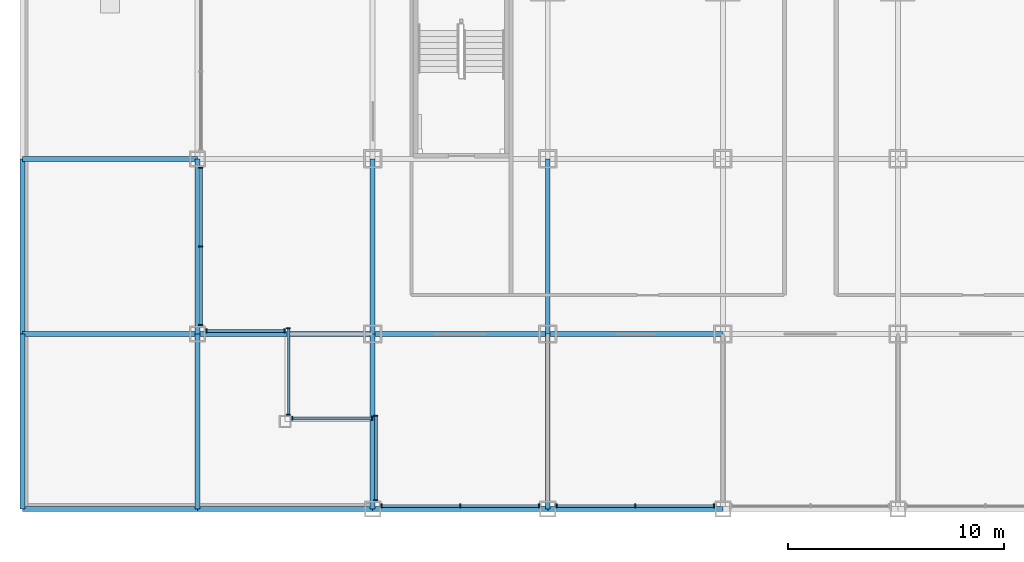
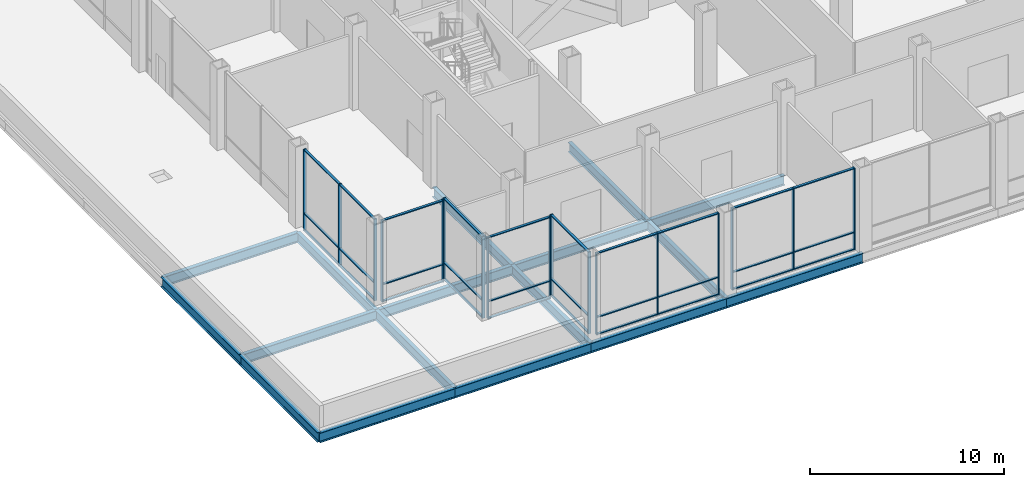
# One storey, part 7 of 26: 47 members, 17 beams, 7 elements without a shape of their own.
"""IFC4 building model written with IfcOpenShell, lengths in metres."""

from ifc_helpers import new_model, si_unit, direction, frame, origin, origin_2d, place, context, subcontext, project, spatial, rectangle, i_section, extrude, material, material_profile, profile_set, type_object, element, aggregate, save


model = new_model("IFC4")

# Units and contexts
model_context = context("Model", 3, precision=1e-05, world=origin(), true_north=direction((0.0, 1.0)))
body_context = subcontext(model_context, "Body", "Model", "MODEL_VIEW")
ifc_project = project(units=[si_unit("LENGTHUNIT", "METRE"), si_unit("AREAUNIT", "SQUARE_METRE"), si_unit("VOLUMEUNIT", "CUBIC_METRE"), si_unit("PLANEANGLEUNIT", "RADIAN"), si_unit("MASSUNIT", "GRAM", prefix="KILO")], contexts=[model_context])

# Site, building, storey
site_placement = place(None, origin())
site = spatial("IfcSite", under=ifc_project, at=site_placement, CompositionType="ELEMENT")
building_placement = place(site_placement, origin())
building = spatial("IfcBuilding", under=site, at=building_placement, Name="Kopane Lantern Tower", CompositionType="ELEMENT")
storey_placement = place(building_placement, frame((0.0, 0.0, 16.800048828125)))
storey = spatial("IfcBuildingStorey", under=building, at=storey_placement, Name="L03", CompositionType="ELEMENT", Elevation=16.800048828125)

# Beams
ifc_material_1 = material(Name="Steel S355JR", Category="steel")
ifc_material_profile_1 = material_profile(ifc_material_1, i_section(OverallWidth=0.22900390625, OverallDepth=0.6123046875, WebThickness=0.011962890625, FlangeThickness=0.01953125, FilletRadius=0.0126953125, at=origin_2d()), Name="UB 610x229x125")
ifc_profile_set_1 = profile_set([ifc_material_profile_1], Name="Steel S355JR")
beam_type = type_object("IfcBeamType", Name="GIRDER UB 610x229x125", PredefinedType="BEAM", material=ifc_profile_set_1)
for number, where, z_axis, x_axis, name in (
    (1, (-8.10009765625, 0.0, -0.55615234375), (0.0, 1.0, 0.0), (-1.0, 0.0, 0.0), "Girder L03"),
    (2, (-8.10009765625, 0.0, -0.55615234375), (1.0, 0.0, 0.0), (0.0, 1.0, 0.0), "Girder L03"),
):
    element("IfcBeam", number, at=place(storey_placement, frame(where, z_axis=z_axis, x_axis=x_axis)), inside=storey, type_object=beam_type, Name=name, PredefinedType="BEAM", context=body_context, shape_type="SweptSolid", body=[
        extrude(i_section(OverallWidth=0.22900390625, OverallDepth=0.6123046875, WebThickness=0.011962890625, FlangeThickness=0.01953125, FilletRadius=0.0126953125, at=origin_2d()), origin(), (0.0, 0.0, 1.0), 8.10009765625),
    ])
beam_1_placement = place(storey_placement, frame((-8.10009765625, 8.10009765625, -0.55615234375), z_axis=(0.0, 1.0, 0.0), x_axis=(-1.0, 0.0, 0.0)))
element("IfcBeam", 3, at=beam_1_placement, inside=storey, type_object=beam_type, Name="Girder L03", PredefinedType="BEAM", context=body_context, shape_type="SweptSolid", body=[
    extrude(i_section(OverallWidth=0.22900390625, OverallDepth=0.6123046875, WebThickness=0.011962890625, FlangeThickness=0.01953125, FilletRadius=0.0126953125, at=origin_2d()), origin(), (0.0, 0.0, 1.0), 8.099853515625),
])
for number, where, z_axis, x_axis, name in (
    (4, (-8.10009765625, 8.10009765625, -0.55615234375), (1.0, 0.0, 0.0), (0.0, 1.0, 0.0), "Girder L03"),
    (5, (-8.10009765625, 16.199951171875, -0.55615234375), (1.0, 0.0, 0.0), (0.0, 1.0, 0.0), "Girder L03"),
    (6, (0.0, 0.0, -0.55615234375), (0.0, 1.0, 0.0), (-1.0, 0.0, 0.0), "Girder L03"),
    (7, (0.0, 0.0, -0.55615234375), (1.0, 0.0, 0.0), (0.0, 1.0, 0.0), "Girder L03"),
):
    element("IfcBeam", number, at=place(storey_placement, frame(where, z_axis=z_axis, x_axis=x_axis)), inside=storey, type_object=beam_type, Name=name, PredefinedType="BEAM", context=body_context, shape_type="SweptSolid", body=[
        extrude(i_section(OverallWidth=0.22900390625, OverallDepth=0.6123046875, WebThickness=0.011962890625, FlangeThickness=0.01953125, FilletRadius=0.0126953125, at=origin_2d()), origin(), (0.0, 0.0, 1.0), 8.10009765625),
    ])
beam_2_placement = place(storey_placement, frame((0.0, 8.10009765625, -0.55615234375), z_axis=(0.0, 1.0, 0.0), x_axis=(-1.0, 0.0, 0.0)))
element("IfcBeam", 8, at=beam_2_placement, inside=storey, type_object=beam_type, Name="Girder L03", PredefinedType="BEAM", context=body_context, shape_type="SweptSolid", body=[
    extrude(i_section(OverallWidth=0.22900390625, OverallDepth=0.6123046875, WebThickness=0.011962890625, FlangeThickness=0.01953125, FilletRadius=0.0126953125, at=origin_2d()), origin(), (0.0, 0.0, 1.0), 8.099853515625),
])
for number, where, z_axis, x_axis, name in (
    (9, (0.0, 8.10009765625, -0.55615234375), (1.0, 0.0, 0.0), (0.0, 1.0, 0.0), "Girder L03"),
    (10, (8.10009765625, 0.0, -0.55615234375), (0.0, 1.0, 0.0), (-1.0, 0.0, 0.0), "Girder L03"),
):
    element("IfcBeam", number, at=place(storey_placement, frame(where, z_axis=z_axis, x_axis=x_axis)), inside=storey, type_object=beam_type, Name=name, PredefinedType="BEAM", context=body_context, shape_type="SweptSolid", body=[
        extrude(i_section(OverallWidth=0.22900390625, OverallDepth=0.6123046875, WebThickness=0.011962890625, FlangeThickness=0.01953125, FilletRadius=0.0126953125, at=origin_2d()), origin(), (0.0, 0.0, 1.0), 8.10009765625),
    ])
for number, where, z_axis, x_axis, name in (
    (11, (8.10009765625, 0.0, -0.55615234375), (1.0, 0.0, 0.0), (0.0, 1.0, 0.0), "Girder L03"),
    (12, (8.10009765625, 8.10009765625, -0.55615234375), (0.0, 1.0, 0.0), (-1.0, 0.0, 0.0), "Girder L03"),
    (13, (8.10009765625, 8.10009765625, -0.55615234375), (1.0, 0.0, 0.0), (0.0, 1.0, 0.0), "Girder L03"),
):
    element("IfcBeam", number, at=place(storey_placement, frame(where, z_axis=z_axis, x_axis=x_axis)), inside=storey, type_object=beam_type, Name=name, PredefinedType="BEAM", context=body_context, shape_type="SweptSolid", body=[
        extrude(i_section(OverallWidth=0.22900390625, OverallDepth=0.6123046875, WebThickness=0.011962890625, FlangeThickness=0.01953125, FilletRadius=0.0126953125, at=origin_2d()), origin(), (0.0, 0.0, 1.0), 8.099853515625),
    ])
for number, where, z_axis, x_axis, name in (
    (14, (16.199951171875, 0.0, -0.55615234375), (0.0, 1.0, 0.0), (-1.0, 0.0, 0.0), "Girder L03"),
    (15, (16.199951171875, 0.0, -0.55615234375), (1.0, 0.0, 0.0), (0.0, 1.0, 0.0), "Girder L03"),
):
    element("IfcBeam", number, at=place(storey_placement, frame(where, z_axis=z_axis, x_axis=x_axis)), inside=storey, type_object=beam_type, Name=name, PredefinedType="BEAM", context=body_context, shape_type="SweptSolid", body=[
        extrude(i_section(OverallWidth=0.22900390625, OverallDepth=0.6123046875, WebThickness=0.011962890625, FlangeThickness=0.01953125, FilletRadius=0.0126953125, at=origin_2d()), origin(), (0.0, 0.0, 1.0), 8.10009765625),
    ])
beam_3_placement = place(storey_placement, frame((16.199951171875, 8.10009765625, -0.55615234375), z_axis=(0.0, 1.0, 0.0), x_axis=(-1.0, 0.0, 0.0)))
element("IfcBeam", 16, at=beam_3_placement, inside=storey, type_object=beam_type, Name="Girder L03", PredefinedType="BEAM", context=body_context, shape_type="SweptSolid", body=[
    extrude(i_section(OverallWidth=0.22900390625, OverallDepth=0.6123046875, WebThickness=0.011962890625, FlangeThickness=0.01953125, FilletRadius=0.0126953125, at=origin_2d()), origin(), (0.0, 0.0, 1.0), 8.099853515625),
])
beam_4_placement = place(storey_placement, frame((16.199951171875, 8.10009765625, -0.55615234375), z_axis=(1.0, 0.0, 0.0), x_axis=(0.0, 1.0, 0.0)))
element("IfcBeam", 17, at=beam_4_placement, inside=storey, type_object=beam_type, Name="Girder L03", PredefinedType="BEAM", context=body_context, shape_type="SweptSolid", body=[
    extrude(i_section(OverallWidth=0.22900390625, OverallDepth=0.6123046875, WebThickness=0.011962890625, FlangeThickness=0.01953125, FilletRadius=0.0126953125, at=origin_2d()), origin(), (0.0, 0.0, 1.0), 8.10009765625),
])

# Curtain wall, members
ifc_material_2 = material(Name="Aluminium and clear glass", Category="aluminium")
curtain_wall_type = type_object("IfcCurtainWallType", Name="CURTAIN WALL CW2 PODIUM UPPER", PredefinedType="USERDEFINED", material=ifc_material_2)
curtain_wall_1_placement = place(storey_placement, origin())
curtain_wall_1 = element("IfcCurtainWall", 18, at=curtain_wall_1_placement, inside=storey, type_object=curtain_wall_type, Name="Curtain wall CW2 S L03", ObjectType="CURTAIN WALL", PredefinedType="USERDEFINED")
ifc_material_3 = material(Name="Aluminium", Category="aluminium")
ifc_material_profile_2 = material_profile(ifc_material_3, rectangle(XDim=0.06005859375, YDim=0.179931640625, at=origin_2d()), Name="AL 60x180")
ifc_profile_set_2 = profile_set([ifc_material_profile_2], Name="Aluminium")
member_type_1 = type_object("IfcMemberType", Name="MULLION CW2-M 60x180", PredefinedType="MULLION", material=ifc_profile_set_2)
member_1_placement = place(storey_placement, frame((8.510009765625, 0.14990234375, 0.0), z_axis=(0.0, 0.0, 1.0), x_axis=(1.0, 0.0, 0.0)))
member_1 = element("IfcMember", 19, at=member_1_placement, type_object=member_type_1, Name="CW2 mullion 1", PredefinedType="MULLION", context=body_context, shape_type="SweptSolid", body=[
    extrude(rectangle(XDim=0.06005859375, YDim=0.179931640625, at=origin_2d()), origin(), (0.0, 0.0, 1.0), 5.14990234375),
])
member_2_placement = place(storey_placement, frame((12.14990234375, 0.14990234375, 0.0), z_axis=(0.0, 0.0, 1.0), x_axis=(1.0, 0.0, 0.0)))
member_2 = element("IfcMember", 20, at=member_2_placement, type_object=member_type_1, Name="CW2 mullion 2", PredefinedType="MULLION", context=body_context, shape_type="SweptSolid", body=[
    extrude(rectangle(XDim=0.06005859375, YDim=0.179931640625, at=origin_2d()), origin(), (0.0, 0.0, 1.0), 5.14990234375),
])
member_3_placement = place(storey_placement, frame((15.7900390625, 0.14990234375, 0.0), z_axis=(0.0, 0.0, 1.0), x_axis=(1.0, 0.0, 0.0)))
member_3 = element("IfcMember", 21, at=member_3_placement, type_object=member_type_1, Name="CW2 mullion 3", PredefinedType="MULLION", context=body_context, shape_type="SweptSolid", body=[
    extrude(rectangle(XDim=0.06005859375, YDim=0.179931640625, at=origin_2d()), origin(), (0.0, 0.0, 1.0), 5.14990234375),
])

curtain_wall_2_placement = place(storey_placement, origin())
curtain_wall_2 = element("IfcCurtainWall", 22, at=curtain_wall_2_placement, inside=storey, type_object=curtain_wall_type, Name="Curtain wall CW2 S L03", ObjectType="CURTAIN WALL", PredefinedType="USERDEFINED")
member_4_placement = place(storey_placement, frame((16.610107421875, 0.14990234375, 0.0), z_axis=(0.0, 0.0, 1.0), x_axis=(1.0, 0.0, 0.0)))
member_4 = element("IfcMember", 23, at=member_4_placement, type_object=member_type_1, Name="CW2 mullion 1", PredefinedType="MULLION", context=body_context, shape_type="SweptSolid", body=[
    extrude(rectangle(XDim=0.06005859375, YDim=0.179931640625, at=origin_2d()), origin(), (0.0, 0.0, 1.0), 5.14990234375),
])
member_5_placement = place(storey_placement, frame((20.25, 0.14990234375, 0.0), z_axis=(0.0, 0.0, 1.0), x_axis=(1.0, 0.0, 0.0)))
member_5 = element("IfcMember", 24, at=member_5_placement, type_object=member_type_1, Name="CW2 mullion 2", PredefinedType="MULLION", context=body_context, shape_type="SweptSolid", body=[
    extrude(rectangle(XDim=0.06005859375, YDim=0.179931640625, at=origin_2d()), origin(), (0.0, 0.0, 1.0), 5.14990234375),
])
member_6_placement = place(storey_placement, frame((23.889892578125, 0.14990234375, 0.0), z_axis=(0.0, 0.0, 1.0), x_axis=(1.0, 0.0, 0.0)))
member_6 = element("IfcMember", 25, at=member_6_placement, type_object=member_type_1, Name="CW2 mullion 3", PredefinedType="MULLION", context=body_context, shape_type="SweptSolid", body=[
    extrude(rectangle(XDim=0.06005859375, YDim=0.179931640625, at=origin_2d()), origin(), (0.0, 0.0, 1.0), 5.14990234375),
])

curtain_wall_3_placement = place(storey_placement, origin())
curtain_wall_3 = element("IfcCurtainWall", 26, at=curtain_wall_3_placement, inside=storey, type_object=curtain_wall_type, Name="Curtain wall CW2 W L03", ObjectType="CURTAIN WALL", PredefinedType="USERDEFINED")
member_7_placement = place(storey_placement, frame((0.14990234375, 15.7900390625, 0.0), z_axis=(0.0, 0.0, 1.0), x_axis=(0.0, -1.0, 0.0)))
member_7 = element("IfcMember", 27, at=member_7_placement, type_object=member_type_1, Name="CW2 mullion 1", PredefinedType="MULLION", context=body_context, shape_type="SweptSolid", body=[
    extrude(rectangle(XDim=0.06005859375, YDim=0.179931640625, at=origin_2d()), origin(), (0.0, 0.0, 1.0), 5.14990234375),
])
member_8_placement = place(storey_placement, frame((0.14990234375, 12.14990234375, 0.0), z_axis=(0.0, 0.0, 1.0), x_axis=(0.0, -1.0, 0.0)))
member_8 = element("IfcMember", 28, at=member_8_placement, type_object=member_type_1, Name="CW2 mullion 2", PredefinedType="MULLION", context=body_context, shape_type="SweptSolid", body=[
    extrude(rectangle(XDim=0.06005859375, YDim=0.179931640625, at=origin_2d()), origin(), (0.0, 0.0, 1.0), 5.14990234375),
])
member_9_placement = place(storey_placement, frame((0.14990234375, 8.510009765625, 0.0), z_axis=(0.0, 0.0, 1.0), x_axis=(0.0, -1.0, 0.0)))
member_9 = element("IfcMember", 29, at=member_9_placement, type_object=member_type_1, Name="CW2 mullion 3", PredefinedType="MULLION", context=body_context, shape_type="SweptSolid", body=[
    extrude(rectangle(XDim=0.06005859375, YDim=0.179931640625, at=origin_2d()), origin(), (0.0, 0.0, 1.0), 5.14990234375),
])

curtain_wall_4_placement = place(storey_placement, origin())
curtain_wall_4 = element("IfcCurtainWall", 30, at=curtain_wall_4_placement, inside=storey, type_object=curtain_wall_type, Name="Curtain wall CW2 S L03", ObjectType="CURTAIN WALL", PredefinedType="USERDEFINED")
member_10_placement = place(storey_placement, frame((0.409912109375, 8.25, 0.0), z_axis=(0.0, 0.0, 1.0), x_axis=(1.0, 0.0, 0.0)))
member_10 = element("IfcMember", 31, at=member_10_placement, type_object=member_type_1, Name="CW2 mullion 1", PredefinedType="MULLION", context=body_context, shape_type="SweptSolid", body=[
    extrude(rectangle(XDim=0.06005859375, YDim=0.179931640625, at=origin_2d()), origin(), (0.0, 0.0, 1.0), 5.14990234375),
])
member_11_placement = place(storey_placement, frame((4.02001953125, 8.25, 0.0), z_axis=(0.0, 0.0, 1.0), x_axis=(1.0, 0.0, 0.0)))
member_11 = element("IfcMember", 32, at=member_11_placement, type_object=member_type_1, Name="CW2 mullion 2", PredefinedType="MULLION", context=body_context, shape_type="SweptSolid", body=[
    extrude(rectangle(XDim=0.06005859375, YDim=0.179931640625, at=origin_2d()), origin(), (0.0, 0.0, 1.0), 5.14990234375),
])

curtain_wall_5_placement = place(storey_placement, origin())
curtain_wall_5 = element("IfcCurtainWall", 33, at=curtain_wall_5_placement, inside=storey, type_object=curtain_wall_type, Name="Curtain wall CW2 W L03", ObjectType="CURTAIN WALL", PredefinedType="USERDEFINED")
member_12_placement = place(storey_placement, frame((4.199951171875, 8.3701171875, 0.0), z_axis=(0.0, 0.0, 1.0), x_axis=(0.0, -1.0, 0.0)))
member_12 = element("IfcMember", 34, at=member_12_placement, type_object=member_type_1, Name="CW2 mullion 1", PredefinedType="MULLION", context=body_context, shape_type="SweptSolid", body=[
    extrude(rectangle(XDim=0.06005859375, YDim=0.179931640625, at=origin_2d()), origin(), (0.0, 0.0, 1.0), 5.14990234375),
])
member_13_placement = place(storey_placement, frame((4.199951171875, 4.360107421875, 0.0), z_axis=(0.0, 0.0, 1.0), x_axis=(0.0, -1.0, 0.0)))
member_13 = element("IfcMember", 35, at=member_13_placement, type_object=member_type_1, Name="CW2 mullion 2", PredefinedType="MULLION", context=body_context, shape_type="SweptSolid", body=[
    extrude(rectangle(XDim=0.06005859375, YDim=0.179931640625, at=origin_2d()), origin(), (0.0, 0.0, 1.0), 5.14990234375),
])

curtain_wall_6_placement = place(storey_placement, origin())
curtain_wall_6 = element("IfcCurtainWall", 36, at=curtain_wall_6_placement, inside=storey, type_object=curtain_wall_type, Name="Curtain wall CW2 S L03", ObjectType="CURTAIN WALL", PredefinedType="USERDEFINED")
member_14_placement = place(storey_placement, frame((4.3798828125, 4.199951171875, 0.0), z_axis=(0.0, 0.0, 1.0), x_axis=(1.0, 0.0, 0.0)))
member_14 = element("IfcMember", 37, at=member_14_placement, type_object=member_type_1, Name="CW2 mullion 1", PredefinedType="MULLION", context=body_context, shape_type="SweptSolid", body=[
    extrude(rectangle(XDim=0.06005859375, YDim=0.179931640625, at=origin_2d()), origin(), (0.0, 0.0, 1.0), 5.14990234375),
])
member_15_placement = place(storey_placement, frame((8.070068359375, 4.199951171875, 0.0), z_axis=(0.0, 0.0, 1.0), x_axis=(1.0, 0.0, 0.0)))
member_15 = element("IfcMember", 38, at=member_15_placement, type_object=member_type_1, Name="CW2 mullion 2", PredefinedType="MULLION", context=body_context, shape_type="SweptSolid", body=[
    extrude(rectangle(XDim=0.06005859375, YDim=0.179931640625, at=origin_2d()), origin(), (0.0, 0.0, 1.0), 5.14990234375),
])

curtain_wall_7_placement = place(storey_placement, origin())
curtain_wall_7 = element("IfcCurtainWall", 39, at=curtain_wall_7_placement, inside=storey, type_object=curtain_wall_type, Name="Curtain wall CW2 W L03", ObjectType="CURTAIN WALL", PredefinedType="USERDEFINED")
member_16_placement = place(storey_placement, frame((8.25, 4.320068359375, 0.0), z_axis=(0.0, 0.0, 1.0), x_axis=(0.0, -1.0, 0.0)))
member_16 = element("IfcMember", 40, at=member_16_placement, type_object=member_type_1, Name="CW2 mullion 1", PredefinedType="MULLION", context=body_context, shape_type="SweptSolid", body=[
    extrude(rectangle(XDim=0.06005859375, YDim=0.179931640625, at=origin_2d()), origin(), (0.0, 0.0, 1.0), 5.14990234375),
])
member_17_placement = place(storey_placement, frame((8.25, 0.409912109375, 0.0), z_axis=(0.0, 0.0, 1.0), x_axis=(0.0, -1.0, 0.0)))
member_17 = element("IfcMember", 41, at=member_17_placement, type_object=member_type_1, Name="CW2 mullion 2", PredefinedType="MULLION", context=body_context, shape_type="SweptSolid", body=[
    extrude(rectangle(XDim=0.06005859375, YDim=0.179931640625, at=origin_2d()), origin(), (0.0, 0.0, 1.0), 5.14990234375),
])

# Member
ifc_material_4 = material(Name="Aluminium", Category="aluminium")
ifc_material_profile_3 = material_profile(ifc_material_4, rectangle(XDim=0.139892578125, YDim=0.06005859375, at=origin_2d()), Name="AL 140x60")
ifc_profile_set_3 = profile_set([ifc_material_profile_3], Name="Aluminium")
member_type_2 = type_object("IfcMemberType", Name="TRANSOM CW2-T 60x140", PredefinedType="USERDEFINED", material=ifc_profile_set_3)
member_18_placement = place(storey_placement, frame((8.5400390625, 0.14990234375, 0.030029296875), z_axis=(1.0, 0.0, 0.0), x_axis=(0.0, 1.0, 0.0)))
member_18 = element("IfcMember", 42, at=member_18_placement, type_object=member_type_2, Name="CW2 transom 1.1", ObjectType="TRANSOM", PredefinedType="USERDEFINED", context=body_context, shape_type="SweptSolid", body=[
    extrude(rectangle(XDim=0.139892578125, YDim=0.06005859375, at=origin_2d()), origin(), (0.0, 0.0, 1.0), 3.580078125),
])

member_19_placement = place(storey_placement, frame((8.5400390625, 0.14990234375, 1.099853515625), z_axis=(1.0, 0.0, 0.0), x_axis=(0.0, 1.0, 0.0)))
member_19 = element("IfcMember", 43, at=member_19_placement, type_object=member_type_2, Name="CW2 transom 1.2", ObjectType="TRANSOM", PredefinedType="USERDEFINED", context=body_context, shape_type="SweptSolid", body=[
    extrude(rectangle(XDim=0.139892578125, YDim=0.06005859375, at=origin_2d()), origin(), (0.0, 0.0, 1.0), 3.580078125),
])

member_20_placement = place(storey_placement, frame((8.5400390625, 0.14990234375, 5.119873046875), z_axis=(1.0, 0.0, 0.0), x_axis=(0.0, 1.0, 0.0)))
member_20 = element("IfcMember", 44, at=member_20_placement, type_object=member_type_2, Name="CW2 transom 1.3", ObjectType="TRANSOM", PredefinedType="USERDEFINED", context=body_context, shape_type="SweptSolid", body=[
    extrude(rectangle(XDim=0.139892578125, YDim=0.06005859375, at=origin_2d()), origin(), (0.0, 0.0, 1.0), 3.580078125),
])

member_21_placement = place(storey_placement, frame((12.179931640625, 0.14990234375, 0.030029296875), z_axis=(1.0, 0.0, 0.0), x_axis=(0.0, 1.0, 0.0)))
member_21 = element("IfcMember", 45, at=member_21_placement, type_object=member_type_2, Name="CW2 transom 2.1", ObjectType="TRANSOM", PredefinedType="USERDEFINED", context=body_context, shape_type="SweptSolid", body=[
    extrude(rectangle(XDim=0.139892578125, YDim=0.06005859375, at=origin_2d()), origin(), (0.0, 0.0, 1.0), 3.580078125),
])

member_22_placement = place(storey_placement, frame((12.179931640625, 0.14990234375, 1.099853515625), z_axis=(1.0, 0.0, 0.0), x_axis=(0.0, 1.0, 0.0)))
member_22 = element("IfcMember", 46, at=member_22_placement, type_object=member_type_2, Name="CW2 transom 2.2", ObjectType="TRANSOM", PredefinedType="USERDEFINED", context=body_context, shape_type="SweptSolid", body=[
    extrude(rectangle(XDim=0.139892578125, YDim=0.06005859375, at=origin_2d()), origin(), (0.0, 0.0, 1.0), 3.580078125),
])

member_23_placement = place(storey_placement, frame((12.179931640625, 0.14990234375, 5.119873046875), z_axis=(1.0, 0.0, 0.0), x_axis=(0.0, 1.0, 0.0)))
member_23 = element("IfcMember", 47, at=member_23_placement, type_object=member_type_2, Name="CW2 transom 2.3", ObjectType="TRANSOM", PredefinedType="USERDEFINED", context=body_context, shape_type="SweptSolid", body=[
    extrude(rectangle(XDim=0.139892578125, YDim=0.06005859375, at=origin_2d()), origin(), (0.0, 0.0, 1.0), 3.580078125),
])

aggregate(curtain_wall_1, [member_1, member_2, member_3, member_18, member_19, member_20, member_21, member_22, member_23])

member_24_placement = place(storey_placement, frame((16.639892578125, 0.14990234375, 0.030029296875), z_axis=(1.0, 0.0, 0.0), x_axis=(0.0, 1.0, 0.0)))
member_24 = element("IfcMember", 48, at=member_24_placement, type_object=member_type_2, Name="CW2 transom 1.1", ObjectType="TRANSOM", PredefinedType="USERDEFINED", context=body_context, shape_type="SweptSolid", body=[
    extrude(rectangle(XDim=0.139892578125, YDim=0.06005859375, at=origin_2d()), origin(), (0.0, 0.0, 1.0), 3.580078125),
])

member_25_placement = place(storey_placement, frame((16.639892578125, 0.14990234375, 1.099853515625), z_axis=(1.0, 0.0, 0.0), x_axis=(0.0, 1.0, 0.0)))
member_25 = element("IfcMember", 49, at=member_25_placement, type_object=member_type_2, Name="CW2 transom 1.2", ObjectType="TRANSOM", PredefinedType="USERDEFINED", context=body_context, shape_type="SweptSolid", body=[
    extrude(rectangle(XDim=0.139892578125, YDim=0.06005859375, at=origin_2d()), origin(), (0.0, 0.0, 1.0), 3.580078125),
])

member_26_placement = place(storey_placement, frame((16.639892578125, 0.14990234375, 5.119873046875), z_axis=(1.0, 0.0, 0.0), x_axis=(0.0, 1.0, 0.0)))
member_26 = element("IfcMember", 50, at=member_26_placement, type_object=member_type_2, Name="CW2 transom 1.3", ObjectType="TRANSOM", PredefinedType="USERDEFINED", context=body_context, shape_type="SweptSolid", body=[
    extrude(rectangle(XDim=0.139892578125, YDim=0.06005859375, at=origin_2d()), origin(), (0.0, 0.0, 1.0), 3.580078125),
])

member_27_placement = place(storey_placement, frame((20.280029296875, 0.14990234375, 0.030029296875), z_axis=(1.0, 0.0, 0.0), x_axis=(0.0, 1.0, 0.0)))
member_27 = element("IfcMember", 51, at=member_27_placement, type_object=member_type_2, Name="CW2 transom 2.1", ObjectType="TRANSOM", PredefinedType="USERDEFINED", context=body_context, shape_type="SweptSolid", body=[
    extrude(rectangle(XDim=0.139892578125, YDim=0.06005859375, at=origin_2d()), origin(), (0.0, 0.0, 1.0), 3.580078125),
])

member_28_placement = place(storey_placement, frame((20.280029296875, 0.14990234375, 1.099853515625), z_axis=(1.0, 0.0, 0.0), x_axis=(0.0, 1.0, 0.0)))
member_28 = element("IfcMember", 52, at=member_28_placement, type_object=member_type_2, Name="CW2 transom 2.2", ObjectType="TRANSOM", PredefinedType="USERDEFINED", context=body_context, shape_type="SweptSolid", body=[
    extrude(rectangle(XDim=0.139892578125, YDim=0.06005859375, at=origin_2d()), origin(), (0.0, 0.0, 1.0), 3.580078125),
])

member_29_placement = place(storey_placement, frame((20.280029296875, 0.14990234375, 5.119873046875), z_axis=(1.0, 0.0, 0.0), x_axis=(0.0, 1.0, 0.0)))
member_29 = element("IfcMember", 53, at=member_29_placement, type_object=member_type_2, Name="CW2 transom 2.3", ObjectType="TRANSOM", PredefinedType="USERDEFINED", context=body_context, shape_type="SweptSolid", body=[
    extrude(rectangle(XDim=0.139892578125, YDim=0.06005859375, at=origin_2d()), origin(), (0.0, 0.0, 1.0), 3.580078125),
])

aggregate(curtain_wall_2, [member_4, member_5, member_6, member_24, member_25, member_26, member_27, member_28, member_29])

member_30_placement = place(storey_placement, frame((0.14990234375, 15.760009765625, 0.030029296875), z_axis=(0.0, -1.0, 0.0), x_axis=(1.0, 0.0, 0.0)))
member_30 = element("IfcMember", 54, at=member_30_placement, type_object=member_type_2, Name="CW2 transom 1.1", ObjectType="TRANSOM", PredefinedType="USERDEFINED", context=body_context, shape_type="SweptSolid", body=[
    extrude(rectangle(XDim=0.139892578125, YDim=0.06005859375, at=origin_2d()), origin(), (0.0, 0.0, 1.0), 3.580078125),
])

member_31_placement = place(storey_placement, frame((0.14990234375, 15.760009765625, 1.099853515625), z_axis=(0.0, -1.0, 0.0), x_axis=(1.0, 0.0, 0.0)))
member_31 = element("IfcMember", 55, at=member_31_placement, type_object=member_type_2, Name="CW2 transom 1.2", ObjectType="TRANSOM", PredefinedType="USERDEFINED", context=body_context, shape_type="SweptSolid", body=[
    extrude(rectangle(XDim=0.139892578125, YDim=0.06005859375, at=origin_2d()), origin(), (0.0, 0.0, 1.0), 3.580078125),
])

member_32_placement = place(storey_placement, frame((0.14990234375, 15.760009765625, 5.119873046875), z_axis=(0.0, -1.0, 0.0), x_axis=(1.0, 0.0, 0.0)))
member_32 = element("IfcMember", 56, at=member_32_placement, type_object=member_type_2, Name="CW2 transom 1.3", ObjectType="TRANSOM", PredefinedType="USERDEFINED", context=body_context, shape_type="SweptSolid", body=[
    extrude(rectangle(XDim=0.139892578125, YDim=0.06005859375, at=origin_2d()), origin(), (0.0, 0.0, 1.0), 3.580078125),
])

member_33_placement = place(storey_placement, frame((0.14990234375, 12.1201171875, 0.030029296875), z_axis=(0.0, -1.0, 0.0), x_axis=(1.0, 0.0, 0.0)))
member_33 = element("IfcMember", 57, at=member_33_placement, type_object=member_type_2, Name="CW2 transom 2.1", ObjectType="TRANSOM", PredefinedType="USERDEFINED", context=body_context, shape_type="SweptSolid", body=[
    extrude(rectangle(XDim=0.139892578125, YDim=0.06005859375, at=origin_2d()), origin(), (0.0, 0.0, 1.0), 3.580078125),
])

member_34_placement = place(storey_placement, frame((0.14990234375, 12.1201171875, 1.099853515625), z_axis=(0.0, -1.0, 0.0), x_axis=(1.0, 0.0, 0.0)))
member_34 = element("IfcMember", 58, at=member_34_placement, type_object=member_type_2, Name="CW2 transom 2.2", ObjectType="TRANSOM", PredefinedType="USERDEFINED", context=body_context, shape_type="SweptSolid", body=[
    extrude(rectangle(XDim=0.139892578125, YDim=0.06005859375, at=origin_2d()), origin(), (0.0, 0.0, 1.0), 3.580078125),
])

member_35_placement = place(storey_placement, frame((0.14990234375, 12.1201171875, 5.119873046875), z_axis=(0.0, -1.0, 0.0), x_axis=(1.0, 0.0, 0.0)))
member_35 = element("IfcMember", 59, at=member_35_placement, type_object=member_type_2, Name="CW2 transom 2.3", ObjectType="TRANSOM", PredefinedType="USERDEFINED", context=body_context, shape_type="SweptSolid", body=[
    extrude(rectangle(XDim=0.139892578125, YDim=0.06005859375, at=origin_2d()), origin(), (0.0, 0.0, 1.0), 3.580078125),
])

aggregate(curtain_wall_3, [member_7, member_8, member_9, member_30, member_31, member_32, member_33, member_34, member_35])

member_36_placement = place(storey_placement, frame((0.43994140625, 8.25, 0.030029296875), z_axis=(1.0, 0.0, 0.0), x_axis=(0.0, 1.0, 0.0)))
member_36 = element("IfcMember", 60, at=member_36_placement, type_object=member_type_2, Name="CW2 transom 1.1", ObjectType="TRANSOM", PredefinedType="USERDEFINED", context=body_context, shape_type="SweptSolid", body=[
    extrude(rectangle(XDim=0.139892578125, YDim=0.06005859375, at=origin_2d()), origin(), (0.0, 0.0, 1.0), 3.550048828125),
])

member_37_placement = place(storey_placement, frame((0.43994140625, 8.25, 1.099853515625), z_axis=(1.0, 0.0, 0.0), x_axis=(0.0, 1.0, 0.0)))
member_37 = element("IfcMember", 61, at=member_37_placement, type_object=member_type_2, Name="CW2 transom 1.2", ObjectType="TRANSOM", PredefinedType="USERDEFINED", context=body_context, shape_type="SweptSolid", body=[
    extrude(rectangle(XDim=0.139892578125, YDim=0.06005859375, at=origin_2d()), origin(), (0.0, 0.0, 1.0), 3.550048828125),
])

member_38_placement = place(storey_placement, frame((0.43994140625, 8.25, 5.119873046875), z_axis=(1.0, 0.0, 0.0), x_axis=(0.0, 1.0, 0.0)))
member_38 = element("IfcMember", 62, at=member_38_placement, type_object=member_type_2, Name="CW2 transom 1.3", ObjectType="TRANSOM", PredefinedType="USERDEFINED", context=body_context, shape_type="SweptSolid", body=[
    extrude(rectangle(XDim=0.139892578125, YDim=0.06005859375, at=origin_2d()), origin(), (0.0, 0.0, 1.0), 3.550048828125),
])

aggregate(curtain_wall_4, [member_10, member_11, member_36, member_37, member_38])

member_39_placement = place(storey_placement, frame((4.199951171875, 8.340087890625, 0.030029296875), z_axis=(0.0, -1.0, 0.0), x_axis=(1.0, 0.0, 0.0)))
member_39 = element("IfcMember", 63, at=member_39_placement, type_object=member_type_2, Name="CW2 transom 1.1", ObjectType="TRANSOM", PredefinedType="USERDEFINED", context=body_context, shape_type="SweptSolid", body=[
    extrude(rectangle(XDim=0.139892578125, YDim=0.06005859375, at=origin_2d()), origin(), (0.0, 0.0, 1.0), 3.9501953125),
])

member_40_placement = place(storey_placement, frame((4.199951171875, 8.340087890625, 1.099853515625), z_axis=(0.0, -1.0, 0.0), x_axis=(1.0, 0.0, 0.0)))
member_40 = element("IfcMember", 64, at=member_40_placement, type_object=member_type_2, Name="CW2 transom 1.2", ObjectType="TRANSOM", PredefinedType="USERDEFINED", context=body_context, shape_type="SweptSolid", body=[
    extrude(rectangle(XDim=0.139892578125, YDim=0.06005859375, at=origin_2d()), origin(), (0.0, 0.0, 1.0), 3.9501953125),
])

member_41_placement = place(storey_placement, frame((4.199951171875, 8.340087890625, 5.119873046875), z_axis=(0.0, -1.0, 0.0), x_axis=(1.0, 0.0, 0.0)))
member_41 = element("IfcMember", 65, at=member_41_placement, type_object=member_type_2, Name="CW2 transom 1.3", ObjectType="TRANSOM", PredefinedType="USERDEFINED", context=body_context, shape_type="SweptSolid", body=[
    extrude(rectangle(XDim=0.139892578125, YDim=0.06005859375, at=origin_2d()), origin(), (0.0, 0.0, 1.0), 3.9501953125),
])

aggregate(curtain_wall_5, [member_12, member_13, member_39, member_40, member_41])

member_42_placement = place(storey_placement, frame((4.409912109375, 4.199951171875, 0.030029296875), z_axis=(1.0, 0.0, 0.0), x_axis=(0.0, 1.0, 0.0)))
member_42 = element("IfcMember", 66, at=member_42_placement, type_object=member_type_2, Name="CW2 transom 1.1", ObjectType="TRANSOM", PredefinedType="USERDEFINED", context=body_context, shape_type="SweptSolid", body=[
    extrude(rectangle(XDim=0.139892578125, YDim=0.06005859375, at=origin_2d()), origin(), (0.0, 0.0, 1.0), 3.630126953125),
])

member_43_placement = place(storey_placement, frame((4.409912109375, 4.199951171875, 1.099853515625), z_axis=(1.0, 0.0, 0.0), x_axis=(0.0, 1.0, 0.0)))
member_43 = element("IfcMember", 67, at=member_43_placement, type_object=member_type_2, Name="CW2 transom 1.2", ObjectType="TRANSOM", PredefinedType="USERDEFINED", context=body_context, shape_type="SweptSolid", body=[
    extrude(rectangle(XDim=0.139892578125, YDim=0.06005859375, at=origin_2d()), origin(), (0.0, 0.0, 1.0), 3.630126953125),
])

member_44_placement = place(storey_placement, frame((4.409912109375, 4.199951171875, 5.119873046875), z_axis=(1.0, 0.0, 0.0), x_axis=(0.0, 1.0, 0.0)))
member_44 = element("IfcMember", 68, at=member_44_placement, type_object=member_type_2, Name="CW2 transom 1.3", ObjectType="TRANSOM", PredefinedType="USERDEFINED", context=body_context, shape_type="SweptSolid", body=[
    extrude(rectangle(XDim=0.139892578125, YDim=0.06005859375, at=origin_2d()), origin(), (0.0, 0.0, 1.0), 3.630126953125),
])

aggregate(curtain_wall_6, [member_14, member_15, member_42, member_43, member_44])

member_45_placement = place(storey_placement, frame((8.25, 4.2900390625, 0.030029296875), z_axis=(0.0, -1.0, 0.0), x_axis=(1.0, 0.0, 0.0)))
member_45 = element("IfcMember", 69, at=member_45_placement, type_object=member_type_2, Name="CW2 transom 1.1", ObjectType="TRANSOM", PredefinedType="USERDEFINED", context=body_context, shape_type="SweptSolid", body=[
    extrude(rectangle(XDim=0.139892578125, YDim=0.06005859375, at=origin_2d()), origin(), (0.0, 0.0, 1.0), 3.85009765625),
])

member_46_placement = place(storey_placement, frame((8.25, 4.2900390625, 1.099853515625), z_axis=(0.0, -1.0, 0.0), x_axis=(1.0, 0.0, 0.0)))
member_46 = element("IfcMember", 70, at=member_46_placement, type_object=member_type_2, Name="CW2 transom 1.2", ObjectType="TRANSOM", PredefinedType="USERDEFINED", context=body_context, shape_type="SweptSolid", body=[
    extrude(rectangle(XDim=0.139892578125, YDim=0.06005859375, at=origin_2d()), origin(), (0.0, 0.0, 1.0), 3.85009765625),
])

member_47_placement = place(storey_placement, frame((8.25, 4.2900390625, 5.119873046875), z_axis=(0.0, -1.0, 0.0), x_axis=(1.0, 0.0, 0.0)))
member_47 = element("IfcMember", 71, at=member_47_placement, type_object=member_type_2, Name="CW2 transom 1.3", ObjectType="TRANSOM", PredefinedType="USERDEFINED", context=body_context, shape_type="SweptSolid", body=[
    extrude(rectangle(XDim=0.139892578125, YDim=0.06005859375, at=origin_2d()), origin(), (0.0, 0.0, 1.0), 3.85009765625),
])

aggregate(curtain_wall_7, [member_16, member_17, member_45, member_46, member_47])

save(model, "model.ifc")
